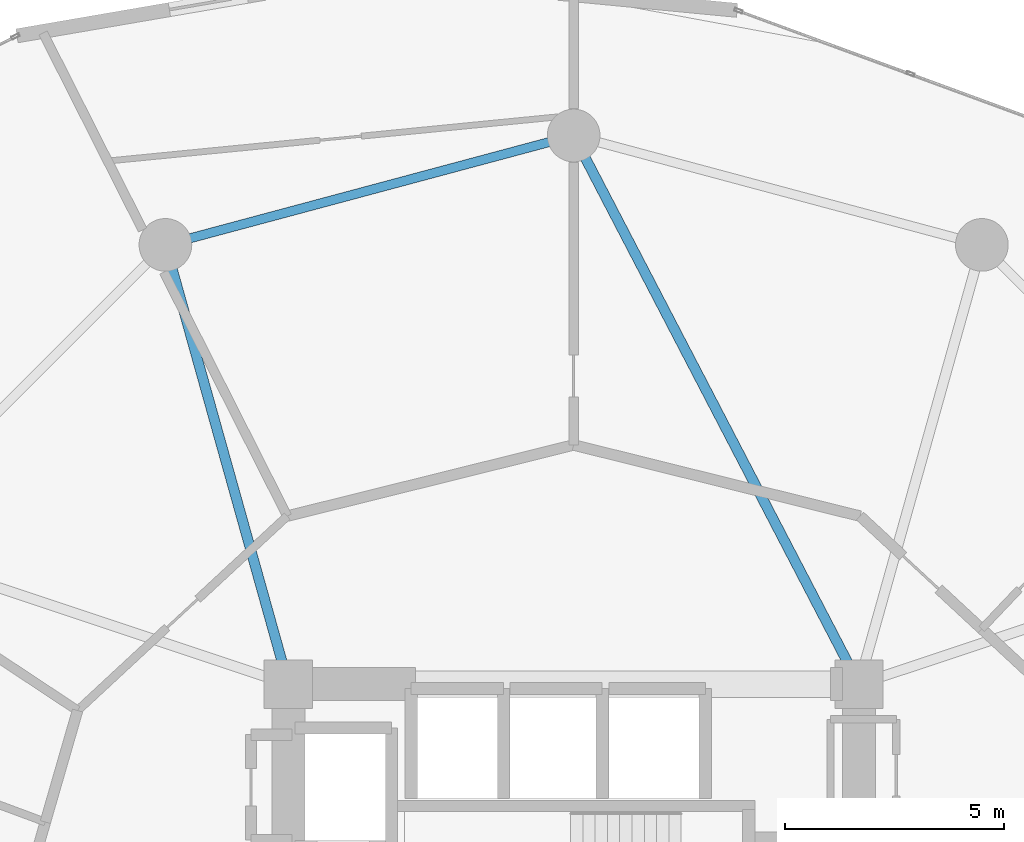
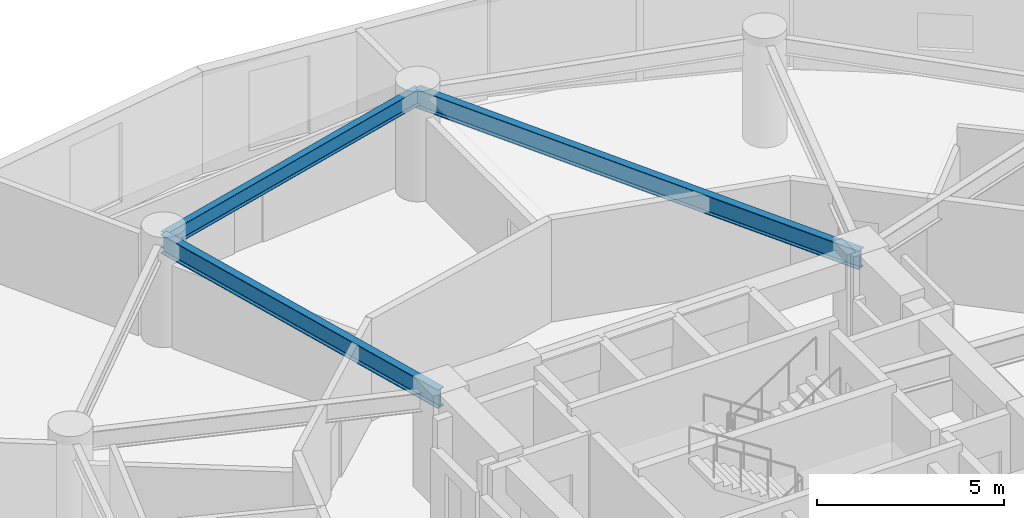
# One storey, part 13 of 22: 3 beams.
"""IFC4 building model written with IfcOpenShell, lengths in metres."""

import ifcopenshell
import ifcopenshell.guid

model = None  # the IFC model being written
_history = None  # IfcOwnerHistory: only IFC2X3 demands one
_inside = {}  # id of a spatial element -> (the spatial element, [elements in it])
_under = {}  # id of a project, library or spatial element -> (it, [spatial elements below it])
_declared = {}  # id of a project -> (the project, [libraries it declares])
_typed = {}  # id of a type object -> (the type object, [elements of that type])
_made_of = {}  # id of a material, layer set ... -> (it, [elements and type objects made of it])


def new_model(schema):
    """Start an empty IFC model of exactly this schema.

    Asked for "IFC4X3", IfcOpenShell would pick the latest addendum, in which some entities
    have other attributes; the version numbers below select the first issue.
    IFC2X3 requires an IfcOwnerHistory on every rooted entity: one is made here for all.
    """
    global model, _history
    if schema == "IFC4X3":
        model = ifcopenshell.file(schema_version=(4, 3, 0, 0))
    else:
        model = ifcopenshell.file(schema=schema)
    _inside.clear()
    _under.clear()
    _declared.clear()
    _typed.clear()
    _made_of.clear()
    _history = None
    if model.schema == "IFC2X3":
        org = make("IfcOrganization", Name="unknown")
        user = make(
            "IfcPersonAndOrganization",
            ThePerson=make("IfcPerson", FamilyName="unknown"),
            TheOrganization=org,
        )
        app = make(
            "IfcApplication",
            ApplicationDeveloper=org,
            Version="unknown",
            ApplicationFullName="unknown",
            ApplicationIdentifier="unknown",
        )
        _history = make(
            "IfcOwnerHistory",
            OwningUser=user,
            OwningApplication=app,
            ChangeAction="ADDED",
            CreationDate=0,
        )
    return model


def make(cls, **values):
    """One entity of the class cls with the attributes given. An attribute that is None is left unset."""
    return model.create_entity(
        cls, **{name: value for name, value in values.items() if value is not None}
    )


def rooted(cls, **values):
    """An entity with a GlobalId (a new one), such as an element, a storey or a relation."""
    return make(cls, GlobalId=ifcopenshell.guid.new(), OwnerHistory=_history, **values)


def si_unit(unit_type, name, prefix=None):
    """IfcSIUnit, for example si_unit("LENGTHUNIT", "METRE", prefix="MILLI")."""
    return make("IfcSIUnit", UnitType=unit_type, Prefix=prefix, Name=name)


def assignment(units):
    """IfcUnitAssignment: the units of a project."""
    return None if units is None else make("IfcUnitAssignment", Units=units)


def point(xyz):
    """IfcCartesianPoint."""
    return None if xyz is None else make("IfcCartesianPoint", Coordinates=xyz)


def direction(xyz):
    """IfcDirection."""
    return None if xyz is None else make("IfcDirection", DirectionRatios=xyz)


def frame(location, z_axis=None, x_axis=None):
    """IfcAxis2Placement3D, a coordinate frame: its origin and axes. An axis left out is left unset."""
    return make(
        "IfcAxis2Placement3D",
        Location=point(location),
        Axis=direction(z_axis),
        RefDirection=direction(x_axis),
    )


def frame_2d(location, x_axis=None):
    """IfcAxis2Placement2D, a coordinate frame in the plane: its origin and x axis."""
    return make(
        "IfcAxis2Placement2D", Location=point(location), RefDirection=direction(x_axis)
    )


def origin():
    """The frame at (0, 0, 0) with its axes left unset."""
    return frame((0.0, 0.0, 0.0))


def origin_2d():
    """The frame at (0, 0) in the plane with its x axis left unset."""
    return frame_2d((0.0, 0.0))


def place(relative_to, where):
    """IfcLocalPlacement: puts the frame where relative to a parent placement (None: the world)."""
    return make(
        "IfcLocalPlacement", PlacementRelTo=relative_to, RelativePlacement=where
    )


def context(
    kind, dimensions, precision=None, world=None, true_north=None, identifier=None
):
    """IfcGeometricRepresentationContext, for example the 3D "Model" context."""
    return make(
        "IfcGeometricRepresentationContext",
        ContextIdentifier=identifier,
        ContextType=kind,
        CoordinateSpaceDimension=dimensions,
        Precision=precision,
        WorldCoordinateSystem=world,
        TrueNorth=true_north,
    )


def subcontext(parent, identifier, kind, view, scale=None):
    """IfcGeometricRepresentationSubContext, for example "Body" below "Model"."""
    return make(
        "IfcGeometricRepresentationSubContext",
        ContextIdentifier=identifier,
        ContextType=kind,
        ParentContext=parent,
        TargetScale=scale,
        TargetView=view,
    )


def project(units=None, contexts=None):
    """IfcProject with its units and contexts."""
    return rooted(
        "IfcProject",
        Name="project",
        RepresentationContexts=contexts,
        UnitsInContext=assignment(units),
    )


def spatial(cls, under=None, at=None, **own):
    """A site, building, storey or space (cls), placed at a placement, below another one or the project."""
    s = rooted(cls, ObjectPlacement=at, **own)
    if under is not None:
        _under.setdefault(under.id(), (under, []))[1].append(s)
    return s


def profile(cls, at=None, kind="AREA", **sizes):
    """A parametric profile (cls). Its sizes go by their IFC names, for example OverallWidth=200.0."""
    return make(cls, ProfileType=kind, Position=at, **sizes)


def i_section(**sizes):
    """IfcIShapeProfileDef."""
    return profile("IfcIShapeProfileDef", **sizes)


def extrude(swept, where, along, depth):
    """IfcExtrudedAreaSolid: the profile swept, set in the frame where, extruded along a direction by depth."""
    return make(
        "IfcExtrudedAreaSolid",
        SweptArea=swept,
        Position=where,
        ExtrudedDirection=direction(along),
        Depth=depth,
    )


def shape(context_of_items, identifier, shape_type, items):
    """IfcShapeRepresentation: the items that make up one representation, for example the "Body"."""
    return make(
        "IfcShapeRepresentation",
        ContextOfItems=context_of_items,
        RepresentationIdentifier=identifier,
        RepresentationType=shape_type,
        Items=items,
    )


def material(Name=None, Category=None):
    """IfcMaterial."""
    return make("IfcMaterial", Name=Name, Category=Category)


def material_profile(
    of_material, cross_section, Name=None, Category=None, Priority=None
):
    """IfcMaterialProfile: a cross section and its material."""
    return make(
        "IfcMaterialProfile",
        Name=Name,
        Material=of_material,
        Profile=cross_section,
        Priority=Priority,
        Category=Category,
    )


def profile_set(profiles, Name=None, composite=None):
    """IfcMaterialProfileSet."""
    return make(
        "IfcMaterialProfileSet",
        Name=Name,
        MaterialProfiles=profiles,
        CompositeProfile=composite,
    )


def made_of(thing, what):
    """Note that an element or type object is made of a material, layer set ...; save() writes the relation."""
    if what is not None:
        _made_of.setdefault(what.id(), (what, []))[1].append(thing)
    return thing


def type_object(cls, material=None, **own):
    """A type object (cls), such as IfcWallType, which elements share."""
    return made_of(rooted(cls, **own), material)


def element(
    cls,
    number,
    at=None,
    inside=None,
    cuts=None,
    type_object=None,
    material=None,
    context=None,
    identifier="Body",
    shape_type=None,
    held_by="IfcProductDefinitionShape",
    body=None,
    shapes=None,
    **own,
):
    """One element of the class cls, such as IfcWall. Its Tag is "e" and its number.

    at: its placement. inside: the storey or other place that contains it. cuts: it is an
    opening in that element (IfcRelVoidsElement). A single representation is given by context,
    identifier, shape_type and body (its items); several are given by shapes. held_by: the class
    of the entity that holds the representations. save() writes the other relations.
    """
    e = rooted(cls, Tag="e%d" % number, ObjectPlacement=at, **own)
    if body is not None:
        shapes = [shape(context, identifier, shape_type, body)]
    if shapes is not None:
        e.Representation = make(held_by, Representations=shapes)
    if inside is not None:
        _inside.setdefault(inside.id(), (inside, []))[1].append(e)
    if cuts is not None:
        rooted(
            "IfcRelVoidsElement", RelatingBuildingElement=cuts, RelatedOpeningElement=e
        )
    if type_object is not None:
        _typed.setdefault(type_object.id(), (type_object, []))[1].append(e)
    return made_of(e, material)


def aggregate(whole, parts):
    """IfcRelAggregates: a whole, such as a stair, and the parts it consists of."""
    return rooted("IfcRelAggregates", RelatingObject=whole, RelatedObjects=parts)


def save(model, path):
    """Write the relations noted so far, then the file.

    IfcRelAggregates (storeys below a building ...), IfcRelContainedInSpatialStructure (elements
    in a storey), IfcRelDefinesByType, IfcRelAssociatesMaterial and IfcRelDeclares: one each for
    every whole, place, type object, material and project.
    """
    for whole, parts in _under.values():
        aggregate(whole, parts)
    for where, things in _inside.values():
        rooted(
            "IfcRelContainedInSpatialStructure",
            RelatedElements=things,
            RelatingStructure=where,
        )
    for kind, things in _typed.values():
        rooted("IfcRelDefinesByType", RelatedObjects=things, RelatingType=kind)
    for what, things in _made_of.values():
        rooted("IfcRelAssociatesMaterial", RelatedObjects=things, RelatingMaterial=what)
    for by, libraries in _declared.values():
        rooted("IfcRelDeclares", RelatingContext=by, RelatedDefinitions=libraries)
    model.write(path)


model = new_model("IFC4")

# Units and contexts
model_context = context("Model", 3, precision=1e-05, world=origin(), true_north=direction((0.0, 1.0)))
body_context = subcontext(model_context, "Body", "Model", "MODEL_VIEW")
ifc_project = project(units=[si_unit("LENGTHUNIT", "METRE"), si_unit("AREAUNIT", "SQUARE_METRE"), si_unit("VOLUMEUNIT", "CUBIC_METRE"), si_unit("PLANEANGLEUNIT", "RADIAN"), si_unit("MASSUNIT", "GRAM", prefix="KILO")], contexts=[model_context])

# Site, building, storey
site_placement = place(None, origin())
site = spatial("IfcSite", under=ifc_project, at=site_placement, CompositionType="ELEMENT")
building_placement = place(site_placement, origin())
building = spatial("IfcBuilding", under=site, at=building_placement, Name="Solvirekh Grand Hotel", CompositionType="ELEMENT")
storey_placement = place(building_placement, frame((0.0, 0.0, 53.60009765625)))
storey = spatial("IfcBuildingStorey", under=building, at=storey_placement, Name="L12", CompositionType="ELEMENT", Elevation=53.60009765625)

# Beams
ifc_material = material(Name="Steel S355", Category="steel")
ifc_material_profile_1 = material_profile(ifc_material, i_section(OverallWidth=0.22998046875, OverallDepth=0.615966796875, WebThickness=0.013916015625, FlangeThickness=0.02392578125, FilletRadius=0.014892578125, at=origin_2d()), Name="W610X174")
ifc_profile_set_1 = profile_set([ifc_material_profile_1], Name="Steel S355")
beam_type_1 = type_object("IfcBeamType", Name="Beam_Primary_W610H", PredefinedType="BEAM", material=ifc_profile_set_1)
beam_1_placement = place(storey_placement, frame((6.5, 6.10009765625, 3.031982421875), z_axis=(-0.461352736642, 0.887216801235, 0.0), x_axis=(-0.887216801235, -0.461352736642, 0.0)))
element("IfcBeam", 1, at=beam_1_placement, inside=storey, type_object=beam_type_1, Name="L12 radial floor beam R04", PredefinedType="BEAM", context=body_context, shape_type="SweptSolid", body=[
    extrude(i_section(OverallWidth=0.22998046875, OverallDepth=0.615966796875, WebThickness=0.013916015625, FlangeThickness=0.02392578125, FilletRadius=0.014892578125, at=origin_2d()), origin(), (0.0, 0.0, 1.0), 14.089111328125),
])
beam_2_placement = place(storey_placement, frame((-6.5, 6.10009765625, 3.031982421875), z_axis=(-0.269439084681, 0.963017434757, 0.0), x_axis=(-0.963017434757, -0.269439084681, 0.0)))
element("IfcBeam", 2, at=beam_2_placement, inside=storey, type_object=beam_type_1, Name="L12 radial floor beam R05", PredefinedType="BEAM", context=body_context, shape_type="SweptSolid", body=[
    extrude(i_section(OverallWidth=0.22998046875, OverallDepth=0.615966796875, WebThickness=0.013916015625, FlangeThickness=0.02392578125, FilletRadius=0.014892578125, at=origin_2d()), origin(), (0.0, 0.0, 1.0), 10.39208984375),
])
ifc_material_profile_2 = material_profile(ifc_material, i_section(OverallWidth=0.208984375, OverallDepth=0.532958984375, WebThickness=0.010009765625, FlangeThickness=0.014892578125, FilletRadius=0.013916015625, at=origin_2d()), Name="W530X92")
ifc_profile_set_2 = profile_set([ifc_material_profile_2], Name="Steel S355")
beam_type_2 = type_object("IfcBeamType", Name="Spandrel_Ring_W530", PredefinedType="SPANDREL", material=ifc_profile_set_2)
beam_3_placement = place(storey_placement, frame((0.0, 18.60009765625, 3.072998046875), z_axis=(-0.965919414426, -0.258842973314, 0.0), x_axis=(0.258842973314, -0.965919414426, 0.0)))
element("IfcBeam", 3, at=beam_3_placement, inside=storey, type_object=beam_type_2, Name="L12 perimeter spandrel beam 4", PredefinedType="SPANDREL", context=body_context, shape_type="SweptSolid", body=[
    extrude(i_section(OverallWidth=0.208984375, OverallDepth=0.532958984375, WebThickness=0.010009765625, FlangeThickness=0.014892578125, FilletRadius=0.013916015625, at=origin_2d()), origin(), (0.0, 0.0, 1.0), 9.628173828125),
])

save(model, "model.ifc")
